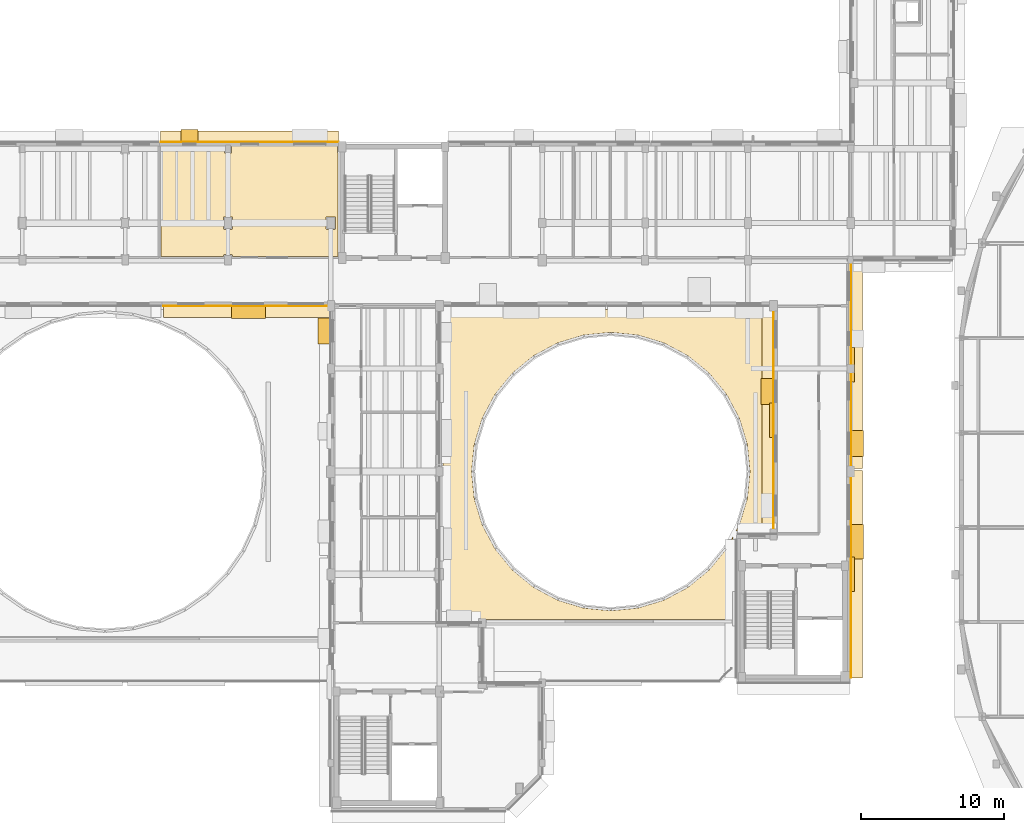
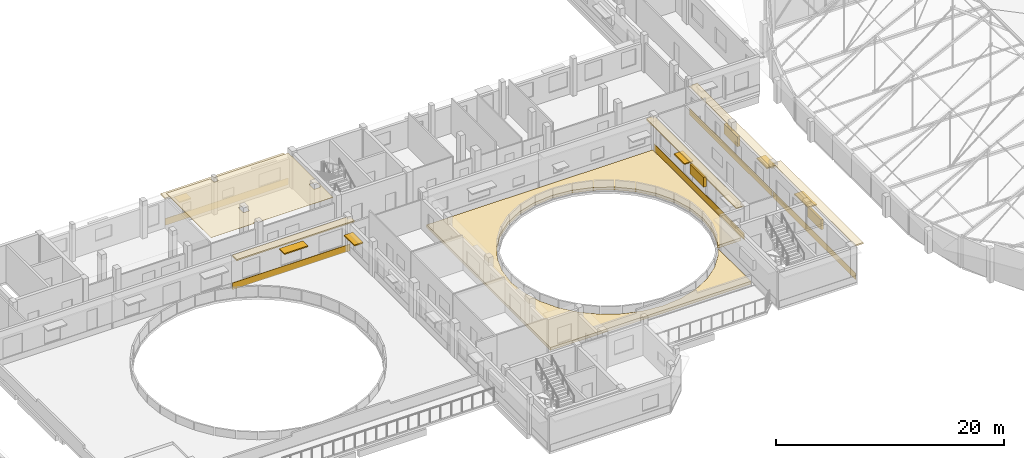
# One storey, part 74 of 78: 12 coverings, 9 shading devices.
"""IFC4 building model written with IfcOpenShell, lengths in metres."""

from ifc_helpers import new_model, si_unit, direction, frame, origin, origin_2d, place, context, subcontext, project, spatial, polyline, rectangle, outline, extrude, material, layer, layer_set, type_object, element, save


model = new_model("IFC4")

# Units and contexts
model_context = context("Model", 3, precision=1e-05, world=origin(), true_north=direction((0.0, 1.0)))
body_context = subcontext(model_context, "Body", "Model", "MODEL_VIEW")
ifc_project = project(units=[si_unit("LENGTHUNIT", "METRE"), si_unit("AREAUNIT", "SQUARE_METRE"), si_unit("VOLUMEUNIT", "CUBIC_METRE"), si_unit("PLANEANGLEUNIT", "RADIAN"), si_unit("MASSUNIT", "GRAM", prefix="KILO")], contexts=[model_context])

# Site, building, storey
site_placement = place(None, origin())
site = spatial("IfcSite", under=ifc_project, at=site_placement, CompositionType="ELEMENT")
building_placement = place(site_placement, origin())
building = spatial("IfcBuilding", under=site, at=building_placement, Name="Kelanivale Promenade Academy", CompositionType="ELEMENT")
storey_placement = place(building_placement, frame((0.0, 0.0, 16.199951171875)))
storey = spatial("IfcBuildingStorey", under=building, at=storey_placement, Name="L04", CompositionType="ELEMENT", Elevation=16.199951171875)

# Coverings
ifc_material_1 = material(Name="Warm ivory Art Deco stucco frieze band 40 mm", Category="masonry")
ifc_layer_1 = layer(ifc_material_1, 0.0400390625)
ifc_layer_set_1 = layer_set([ifc_layer_1], Name="Warm ivory Art Deco stucco frieze band 40 mm")
covering_type_1 = type_object("IfcCoveringType", Name="COV-CLD2 Warm ivory Art Deco stucco frieze ba", PredefinedType="CLADDING", material=ifc_layer_set_1)
covering_1_placement = place(storey_placement, frame((109.800048828125, 60.39990234375, 3.6201171875), z_axis=(0.0, 0.0, 1.0), x_axis=(0.0, -1.0, 0.0)))
element("IfcCovering", 1, at=covering_1_placement, inside=storey, type_object=covering_type_1, Name="Art Deco projecting 820 mm streamline sunshade eyebrow ledge", PredefinedType="CLADDING", context=body_context, shape_type="SweptSolid", body=[
    extrude(rectangle(XDim=15.840087890625, YDim=0.820068359375, at=origin_2d()), origin(), (0.0, 0.0, 1.0), 0.139892578125),
])
covering_2_placement = place(storey_placement, frame((110.18505859375, 60.39990234375, 0.06005859375), z_axis=(0.0, 0.0, 1.0), x_axis=(0.0, -1.0, 0.0)))
element("IfcCovering", 2, at=covering_2_placement, inside=storey, type_object=covering_type_1, Name="Art Deco ivory stucco sill frieze band", PredefinedType="CLADDING", context=body_context, shape_type="SweptSolid", body=[
    extrude(rectangle(XDim=15.840087890625, YDim=0.0400390625, at=origin_2d()), origin(), (0.0, 0.0, 1.0), 0.719970703125),
])
covering_3_placement = place(storey_placement, frame((116.0, 49.610107421875, 3.6201171875), z_axis=(0.0, 0.0, 1.0), x_axis=(0.0, 1.0, 0.0)))
element("IfcCovering", 3, at=covering_3_placement, inside=storey, type_object=covering_type_1, Name="Art Deco projecting 820 mm streamline sunshade eyebrow ledge", PredefinedType="CLADDING", context=body_context, shape_type="SweptSolid", body=[
    extrude(rectangle(XDim=14.5, YDim=0.820068359375, at=origin_2d()), origin(), (0.0, 0.0, 1.0), 0.139892578125),
])
covering_4_placement = place(storey_placement, frame((115.614990234375, 49.610107421875, 0.06005859375), z_axis=(0.0, 0.0, 1.0), x_axis=(0.0, 1.0, 0.0)))
element("IfcCovering", 4, at=covering_4_placement, inside=storey, type_object=covering_type_1, Name="Art Deco ivory stucco sill frieze band", PredefinedType="CLADDING", context=body_context, shape_type="SweptSolid", body=[
    extrude(rectangle(XDim=14.5, YDim=0.0400390625, at=origin_2d()), origin(), (0.0, 0.0, 1.0), 0.719970703125),
])
covering_5_placement = place(storey_placement, frame((116.0, 64.27001953125, 3.01513671875), z_axis=(0.0, 0.0, 1.0), x_axis=(0.0, 1.0, 0.0)))
element("IfcCovering", 5, at=covering_5_placement, inside=storey, type_object=covering_type_1, Name="Art Deco projecting 820 mm streamline sunshade eyebrow ledge", PredefinedType="CLADDING", context=body_context, shape_type="SweptSolid", body=[
    extrude(rectangle(XDim=14.5, YDim=0.820068359375, at=origin_2d()), origin(), (0.0, 0.0, 1.0), 0.139892578125),
])
covering_6_placement = place(storey_placement, frame((115.614990234375, 64.27001953125, 0.06005859375), z_axis=(0.0, 0.0, 1.0), x_axis=(0.0, 1.0, 0.0)))
element("IfcCovering", 6, at=covering_6_placement, inside=storey, type_object=covering_type_1, Name="Art Deco ivory stucco sill frieze band", PredefinedType="CLADDING", context=body_context, shape_type="SweptSolid", body=[
    extrude(rectangle(XDim=14.5, YDim=0.0400390625, at=origin_2d()), origin(), (0.0, 0.0, 1.0), 0.719970703125),
])
covering_7_placement = place(storey_placement, frame((73.51708984375, 80.25, 2.85009765625), z_axis=(0.0, 0.0, 1.0), x_axis=(-1.0, 0.0, 0.0)))
element("IfcCovering", 7, at=covering_7_placement, inside=storey, type_object=covering_type_1, Name="Art Deco projecting 820 mm streamline sunshade eyebrow ledge", PredefinedType="CLADDING", context=body_context, shape_type="SweptSolid", body=[
    extrude(rectangle(XDim=12.47509765625, YDim=0.820068359375, at=origin_2d()), origin(), (0.0, 0.0, 1.0), 0.139892578125),
])
covering_8_placement = place(storey_placement, frame((73.51708984375, 79.864990234375, 0.06005859375), z_axis=(0.0, 0.0, 1.0), x_axis=(-1.0, 0.0, 0.0)))
element("IfcCovering", 8, at=covering_8_placement, inside=storey, type_object=covering_type_1, Name="Art Deco ivory stucco sill frieze band", PredefinedType="CLADDING", context=body_context, shape_type="SweptSolid", body=[
    extrude(rectangle(XDim=12.47509765625, YDim=0.0400390625, at=origin_2d()), origin(), (0.0, 0.0, 1.0), 0.719970703125),
])
covering_9_placement = place(storey_placement, frame((73.43408203125, 68.0, 3.6201171875), z_axis=(0.0, 0.0, 1.0), x_axis=(1.0, 0.0, 0.0)))
element("IfcCovering", 9, at=covering_9_placement, inside=storey, type_object=covering_type_1, Name="Art Deco projecting 820 mm streamline sunshade eyebrow ledge", PredefinedType="CLADDING", context=body_context, shape_type="SweptSolid", body=[
    extrude(rectangle(XDim=11.93310546875, YDim=0.820068359375, at=origin_2d()), origin(), (0.0, 0.0, 1.0), 0.139892578125),
])
covering_10_placement = place(storey_placement, frame((73.43408203125, 68.385009765625, 0.06005859375), z_axis=(0.0, 0.0, 1.0), x_axis=(1.0, 0.0, 0.0)))
element("IfcCovering", 10, at=covering_10_placement, inside=storey, type_object=covering_type_1, Name="Art Deco ivory stucco sill frieze band", PredefinedType="CLADDING", context=body_context, shape_type="SweptSolid", body=[
    extrude(rectangle(XDim=11.93310546875, YDim=0.0400390625, at=origin_2d()), origin(), (0.0, 0.0, 1.0), 0.719970703125),
])
ifc_material_2 = material(Name="Acoustic mineral-fibre ceiling tile 25 mm", Category="gypsum")
ifc_layer_2 = layer(ifc_material_2, 0.02490234375)
ifc_layer_set_2 = layer_set([ifc_layer_2], Name="Acoustic mineral-fibre ceiling tile 25 mm")
covering_type_2 = type_object("IfcCoveringType", Name="COV-CLG1 Acoustic mineral-fibre ceiling tile ", PredefinedType="CEILING", material=ifc_layer_set_2)
covering_11_placement = place(storey_placement, frame((0.0, 0.0, 3.550048828125)))
element("IfcCovering", 11, at=covering_11_placement, inside=storey, type_object=covering_type_2, Name="ICT Computing Studio acoustic suspended ceiling", PredefinedType="CEILING", context=body_context, shape_type="SweptSolid", body=[
    extrude(outline(polyline([(79.68994140625, 79.117919921875), (79.68994140625, 79.117919921875), (79.68603515625, 79.1201171875), (79.68310546875, 79.1220703125), (79.679931640625, 79.1240234375), (79.677001953125, 79.126953125), (79.674072265625, 79.1298828125), (79.672119140625, 79.133056640625), (79.669921875, 79.135986328125), (79.66796875, 79.139892578125), (79.6669921875, 79.14306640625), (79.666015625, 79.14697265625), (79.6650390625, 79.15087890625), (79.6650390625, 79.155029296875), (79.6650390625, 79.699951171875), (72.220947265625, 79.699951171875), (72.222900390625, 79.697998046875), (72.22607421875, 79.695068359375), (72.22802734375, 79.69189453125), (72.22998046875, 79.68896484375), (72.23193359375, 79.68505859375), (72.23291015625, 79.681884765625), (72.23388671875, 79.677978515625), (72.235107421875, 79.674072265625), (72.235107421875, 79.669921875), (72.235107421875, 79.1298828125), (72.235107421875, 79.1259765625), (72.23388671875, 79.1220703125), (72.23291015625, 79.117919921875), (72.23193359375, 79.114990234375), (72.22998046875, 79.111083984375), (72.22802734375, 79.10791015625), (72.22607421875, 79.10498046875), (72.222900390625, 79.10205078125), (72.219970703125, 79.09912109375), (72.217041015625, 79.096923828125), (72.214111328125, 79.094970703125), (72.2099609375, 79.093017578125), (72.20703125, 79.092041015625), (72.202880859375, 79.091064453125), (72.198974609375, 79.090087890625), (72.195068359375, 79.090087890625), (71.804931640625, 79.090087890625), (71.801025390625, 79.090087890625), (71.797119140625, 79.091064453125), (71.79296875, 79.092041015625), (71.7900390625, 79.093017578125), (71.785888671875, 79.094970703125), (71.782958984375, 79.096923828125), (71.780029296875, 79.09912109375), (71.777099609375, 79.10205078125), (71.77392578125, 79.10498046875), (71.77197265625, 79.10791015625), (71.77001953125, 79.111083984375), (71.76806640625, 79.114990234375), (71.76708984375, 79.117919921875), (71.76611328125, 79.1220703125), (71.764892578125, 79.1259765625), (71.764892578125, 79.1298828125), (71.764892578125, 79.669921875), (71.764892578125, 79.674072265625), (71.76611328125, 79.677978515625), (71.76708984375, 79.681884765625), (71.76806640625, 79.68505859375), (71.77001953125, 79.68896484375), (71.77197265625, 79.69189453125), (71.77392578125, 79.695068359375), (71.777099609375, 79.697998046875), (71.779052734375, 79.699951171875), (67.31005859375, 79.699951171875), (67.31005859375, 71.860107421875), (71.68994140625, 71.860107421875), (71.68994140625, 71.945068359375), (71.68994140625, 71.948974609375), (71.69091796875, 71.952880859375), (71.69189453125, 71.95703125), (71.693115234375, 71.9599609375), (71.695068359375, 71.964111328125), (71.697021484375, 71.967041015625), (71.698974609375, 71.969970703125), (71.701904296875, 71.972900390625), (71.705078125, 71.97607421875), (71.7080078125, 71.97802734375), (71.7109375, 71.97998046875), (71.715087890625, 71.98193359375), (71.718017578125, 71.98291015625), (71.721923828125, 71.98388671875), (71.72607421875, 71.985107421875), (71.72998046875, 71.985107421875), (72.27001953125, 71.985107421875), (72.27392578125, 71.985107421875), (72.278076171875, 71.98388671875), (72.281982421875, 71.98291015625), (72.284912109375, 71.98193359375), (72.2890625, 71.97998046875), (72.2919921875, 71.97802734375), (72.294921875, 71.97607421875), (72.298095703125, 71.972900390625), (72.301025390625, 71.969970703125), (72.302978515625, 71.967041015625), (72.304931640625, 71.964111328125), (72.306884765625, 71.9599609375), (72.30810546875, 71.95703125), (72.30908203125, 71.952880859375), (72.31005859375, 71.948974609375), (72.31005859375, 71.945068359375), (72.31005859375, 71.860107421875), (79.68994140625, 71.860107421875), (79.68994140625, 72.14501953125), (79.68994140625, 79.117919921875)]), holes=[polyline([(79.534912109375, 73.804931640625), (79.534912109375, 73.801025390625), (79.533935546875, 73.797119140625), (79.532958984375, 73.79296875), (79.531982421875, 73.7900390625), (79.530029296875, 73.785888671875), (79.528076171875, 73.782958984375), (79.52587890625, 73.780029296875), (79.52294921875, 73.777099609375), (79.52001953125, 73.77392578125), (79.51708984375, 73.77197265625), (79.513916015625, 73.77001953125), (79.510009765625, 73.76806640625), (79.507080078125, 73.76708984375), (79.5029296875, 73.76611328125), (79.4990234375, 73.764892578125), (79.4951171875, 73.764892578125), (78.905029296875, 73.764892578125), (78.90087890625, 73.764892578125), (78.89697265625, 73.76611328125), (78.89306640625, 73.76708984375), (78.889892578125, 73.76806640625), (78.885986328125, 73.77001953125), (78.883056640625, 73.77197265625), (78.8798828125, 73.77392578125), (78.876953125, 73.777099609375), (78.8740234375, 73.780029296875), (78.8720703125, 73.782958984375), (78.8701171875, 73.785888671875), (78.867919921875, 73.7900390625), (78.866943359375, 73.79296875), (78.865966796875, 73.797119140625), (78.864990234375, 73.801025390625), (78.864990234375, 73.804931640625), (78.864990234375, 74.594970703125), (78.864990234375, 74.59912109375), (78.865966796875, 74.60302734375), (78.866943359375, 74.60693359375), (78.867919921875, 74.610107421875), (78.8701171875, 74.614013671875), (78.8720703125, 74.616943359375), (78.8740234375, 74.6201171875), (78.876953125, 74.623046875), (78.8798828125, 74.6259765625), (78.883056640625, 74.6279296875), (78.885986328125, 74.6298828125), (78.889892578125, 74.632080078125), (78.89306640625, 74.633056640625), (78.89697265625, 74.634033203125), (78.90087890625, 74.635009765625), (78.905029296875, 74.635009765625), (79.4951171875, 74.635009765625), (79.4990234375, 74.635009765625), (79.5029296875, 74.634033203125), (79.507080078125, 74.633056640625), (79.510009765625, 74.632080078125), (79.513916015625, 74.6298828125), (79.51708984375, 74.6279296875), (79.52001953125, 74.6259765625), (79.52294921875, 74.623046875), (79.52587890625, 74.6201171875), (79.528076171875, 74.616943359375), (79.530029296875, 74.614013671875), (79.531982421875, 74.610107421875), (79.532958984375, 74.60693359375), (79.533935546875, 74.60302734375), (79.534912109375, 74.59912109375), (79.534912109375, 74.594970703125), (79.534912109375, 73.804931640625)]), polyline([(72.27001953125, 74.635009765625), (72.27392578125, 74.635009765625), (72.278076171875, 74.634033203125), (72.281982421875, 74.633056640625), (72.284912109375, 74.632080078125), (72.2890625, 74.6298828125), (72.2919921875, 74.6279296875), (72.294921875, 74.6259765625), (72.298095703125, 74.623046875), (72.301025390625, 74.6201171875), (72.302978515625, 74.616943359375), (72.304931640625, 74.614013671875), (72.306884765625, 74.610107421875), (72.30810546875, 74.60693359375), (72.30908203125, 74.60302734375), (72.31005859375, 74.59912109375), (72.31005859375, 74.594970703125), (72.31005859375, 73.804931640625), (72.31005859375, 73.801025390625), (72.30908203125, 73.797119140625), (72.30810546875, 73.79296875), (72.306884765625, 73.7900390625), (72.304931640625, 73.785888671875), (72.302978515625, 73.782958984375), (72.301025390625, 73.780029296875), (72.298095703125, 73.777099609375), (72.294921875, 73.77392578125), (72.2919921875, 73.77197265625), (72.2890625, 73.77001953125), (72.284912109375, 73.76806640625), (72.281982421875, 73.76708984375), (72.278076171875, 73.76611328125), (72.27392578125, 73.764892578125), (72.27001953125, 73.764892578125), (71.72998046875, 73.764892578125), (71.72607421875, 73.764892578125), (71.721923828125, 73.76611328125), (71.718017578125, 73.76708984375), (71.715087890625, 73.76806640625), (71.7109375, 73.77001953125), (71.7080078125, 73.77197265625), (71.705078125, 73.77392578125), (71.701904296875, 73.777099609375), (71.698974609375, 73.780029296875), (71.697021484375, 73.782958984375), (71.695068359375, 73.785888671875), (71.693115234375, 73.7900390625), (71.69189453125, 73.79296875), (71.69091796875, 73.797119140625), (71.68994140625, 73.801025390625), (71.68994140625, 73.804931640625), (71.68994140625, 74.594970703125), (71.68994140625, 74.59912109375), (71.69091796875, 74.60302734375), (71.69189453125, 74.60693359375), (71.693115234375, 74.610107421875), (71.695068359375, 74.614013671875), (71.697021484375, 74.616943359375), (71.698974609375, 74.6201171875), (71.701904296875, 74.623046875), (71.705078125, 74.6259765625), (71.7080078125, 74.6279296875), (71.7109375, 74.6298828125), (71.715087890625, 74.632080078125), (71.718017578125, 74.633056640625), (71.721923828125, 74.634033203125), (71.72607421875, 74.635009765625), (71.72998046875, 74.635009765625), (72.27001953125, 74.635009765625)])]), origin(), (0.0, 0.0, 1.0), 0.02490234375),
])
ifc_material_3 = material(Name="Extensive tropical planted green-roof substrate 300 mm", Category="masonry")
ifc_layer_3 = layer(ifc_material_3, 0.300048828125)
ifc_layer_set_3 = layer_set([ifc_layer_3], Name="Extensive tropical planted green-roof substrate 300 mm")
covering_type_3 = type_object("IfcCoveringType", Name="COV-RFG2 Extensive tropical planted green-roo", PredefinedType="ROOFING", material=ifc_layer_set_3)
covering_12_placement = place(storey_placement, origin())
element("IfcCovering", 12, at=covering_12_placement, inside=storey, type_object=covering_type_3, Name="L04 planted green-roof substrate", PredefinedType="ROOFING", context=body_context, shape_type="SweptSolid", body=[
    extrude(outline(polyline([(107.575927734375, 52.638916015625), (107.60009765625, 52.639892578125), (109.9599609375, 52.639892578125), (109.9599609375, 68.159912109375), (87.0400390625, 68.159912109375), (87.0400390625, 46.43994140625), (107.360107421875, 46.43994140625), (107.360107421875, 52.25), (106.910888671875, 51.408935546875), (106.89892578125, 51.388916015625), (106.885009765625, 51.3701171875), (105.7041015625, 49.929931640625), (105.68798828125, 49.912109375), (105.669921875, 49.89599609375), (104.22998046875, 48.715087890625), (104.2109375, 48.700927734375), (104.19091796875, 48.68896484375), (102.548095703125, 47.81103515625), (102.527099609375, 47.801025390625), (102.5048828125, 47.79296875), (100.722900390625, 47.2529296875), (100.699951171875, 47.248046875), (100.677001953125, 47.243896484375), (98.823974609375, 47.06103515625), (98.800048828125, 47.06005859375), (98.77587890625, 47.06103515625), (96.923095703125, 47.243896484375), (96.89990234375, 47.248046875), (96.876953125, 47.2529296875), (95.094970703125, 47.79296875), (95.072998046875, 47.801025390625), (95.052001953125, 47.81103515625), (93.408935546875, 48.68896484375), (93.388916015625, 48.700927734375), (93.3701171875, 48.715087890625), (91.929931640625, 49.89599609375), (91.912109375, 49.912109375), (91.89599609375, 49.929931640625), (90.715087890625, 51.3701171875), (90.700927734375, 51.388916015625), (90.68896484375, 51.408935546875), (89.81103515625, 53.052001953125), (89.801025390625, 53.072998046875), (89.79296875, 53.094970703125), (89.2529296875, 54.876953125), (89.248046875, 54.89990234375), (89.243896484375, 54.923095703125), (89.06103515625, 56.77587890625), (89.06005859375, 56.800048828125), (89.06103515625, 56.823974609375), (89.243896484375, 58.677001953125), (89.248046875, 58.699951171875), (89.2529296875, 58.722900390625), (89.79296875, 60.5048828125), (89.801025390625, 60.527099609375), (89.81103515625, 60.548095703125), (90.68896484375, 62.19091796875), (90.700927734375, 62.2109375), (90.715087890625, 62.22998046875), (91.89599609375, 63.669921875), (91.912109375, 63.68798828125), (91.929931640625, 63.7041015625), (93.3701171875, 64.885009765625), (93.388916015625, 64.89892578125), (93.408935546875, 64.910888671875), (95.052001953125, 65.7890625), (95.072998046875, 65.799072265625), (95.094970703125, 65.806884765625), (96.876953125, 66.346923828125), (96.89990234375, 66.35205078125), (96.923095703125, 66.35595703125), (98.77587890625, 66.5390625), (98.800048828125, 66.5400390625), (98.823974609375, 66.5390625), (100.677001953125, 66.35595703125), (100.699951171875, 66.35205078125), (100.722900390625, 66.346923828125), (102.5048828125, 65.806884765625), (102.527099609375, 65.799072265625), (102.548095703125, 65.7890625), (104.19091796875, 64.910888671875), (104.2109375, 64.89892578125), (104.22998046875, 64.885009765625), (105.669921875, 63.7041015625), (105.68798828125, 63.68798828125), (105.7041015625, 63.669921875), (106.885009765625, 62.22998046875), (106.89892578125, 62.2109375), (106.910888671875, 62.19091796875), (107.7890625, 60.548095703125), (107.799072265625, 60.527099609375), (107.806884765625, 60.5048828125), (108.346923828125, 58.722900390625), (108.35205078125, 58.699951171875), (108.35595703125, 58.677001953125), (108.5390625, 56.823974609375), (108.5400390625, 56.800048828125), (108.5390625, 56.77587890625), (108.35595703125, 54.923095703125), (108.35205078125, 54.89990234375), (108.346923828125, 54.876953125), (107.806884765625, 53.094970703125), (107.799072265625, 53.072998046875), (107.7890625, 53.052001953125), (107.56689453125, 52.636962890625), (107.575927734375, 52.638916015625)])), origin(), (0.0, 0.0, 1.0), 0.300048828125),
])

# Shading devices
ifc_material_4 = material(Name="Precast concrete C40/50", Category="concrete")
ifc_layer_4 = layer(ifc_material_4, 0.1201171875)
ifc_layer_set_4 = layer_set([ifc_layer_4], Name="Precast concrete C40/50")
shading_device_type_1 = type_object("IfcShadingDeviceType", Name="SHD-01 Art Deco Sunshade Eyebrow 900mm", PredefinedType="USERDEFINED", material=ifc_layer_set_4)
shading_device_1_placement = place(storey_placement, frame((109.760009765625, 62.39990234375, 2.9599609375), z_axis=(0.0, 0.0, 1.0), x_axis=(0.0, -1.0, 0.0)))
element("IfcShadingDevice", 13, at=shading_device_1_placement, inside=storey, type_object=shading_device_type_1, Name="Art Deco 900 mm precast chajja window sunshade", ObjectType="SUNSHADE", PredefinedType="USERDEFINED", context=body_context, shape_type="SweptSolid", body=[
    extrude(rectangle(XDim=1.800048828125, YDim=0.89990234375, at=origin_2d()), origin(), (0.0, 0.0, 1.0), 0.1201171875),
])
shading_device_2_placement = place(storey_placement, frame((116.0400390625, 51.89208984375, 2.659912109375), z_axis=(0.0, 0.0, 1.0), x_axis=(0.0, 1.0, 0.0)))
element("IfcShadingDevice", 14, at=shading_device_2_placement, inside=storey, type_object=shading_device_type_1, Name="Art Deco 900 mm precast chajja window sunshade", ObjectType="SUNSHADE", PredefinedType="USERDEFINED", context=body_context, shape_type="SweptSolid", body=[
    extrude(rectangle(XDim=2.39990234375, YDim=0.89990234375, at=origin_2d()), origin(), (0.0, 0.0, 1.0), 0.1201171875),
])
shading_device_3_placement = place(storey_placement, frame((116.0400390625, 58.77197265625, 2.510009765625), z_axis=(0.0, 0.0, 1.0), x_axis=(0.0, 1.0, 0.0)))
element("IfcShadingDevice", 15, at=shading_device_3_placement, inside=storey, type_object=shading_device_type_1, Name="Art Deco 900 mm precast chajja window sunshade", ObjectType="SUNSHADE", PredefinedType="USERDEFINED", context=body_context, shape_type="SweptSolid", body=[
    extrude(rectangle(XDim=1.800048828125, YDim=0.89990234375, at=origin_2d()), origin(), (0.0, 0.0, 1.0), 0.1201171875),
])
shading_device_4_placement = place(storey_placement, frame((69.305908203125, 80.2900390625, 1.9599609375), z_axis=(0.0, 0.0, 1.0), x_axis=(-1.0, 0.0, 0.0)))
element("IfcShadingDevice", 16, at=shading_device_4_placement, inside=storey, type_object=shading_device_type_1, Name="Art Deco 900 mm precast chajja window sunshade", ObjectType="SUNSHADE", PredefinedType="USERDEFINED", context=body_context, shape_type="SweptSolid", body=[
    extrude(rectangle(XDim=1.199951171875, YDim=0.89990234375, at=origin_2d()), origin(), (0.0, 0.0, 1.0), 0.1201171875),
])
shading_device_5_placement = place(storey_placement, frame((73.43408203125, 67.9599609375, 2.659912109375), z_axis=(0.0, 0.0, 1.0), x_axis=(1.0, 0.0, 0.0)))
element("IfcShadingDevice", 17, at=shading_device_5_placement, inside=storey, type_object=shading_device_type_1, Name="Art Deco 900 mm precast chajja window sunshade", ObjectType="SUNSHADE", PredefinedType="USERDEFINED", context=body_context, shape_type="SweptSolid", body=[
    extrude(rectangle(XDim=2.39990234375, YDim=0.89990234375, at=origin_2d()), origin(), (0.0, 0.0, 1.0), 0.1201171875),
])
shading_device_6_placement = place(storey_placement, frame((78.760009765625, 66.64404296875, 2.510009765625), z_axis=(0.0, 0.0, 1.0), x_axis=(0.0, -1.0, 0.0)))
element("IfcShadingDevice", 18, at=shading_device_6_placement, inside=storey, type_object=shading_device_type_1, Name="Art Deco 900 mm precast chajja window sunshade", ObjectType="SUNSHADE", PredefinedType="USERDEFINED", context=body_context, shape_type="SweptSolid", body=[
    extrude(rectangle(XDim=1.800048828125, YDim=0.89990234375, at=origin_2d()), origin(), (0.0, 0.0, 1.0), 0.1201171875),
])
ifc_material_5 = material(Name="Bronze anodised aluminium EN AW-6063 T6", Category="aluminium")
ifc_layer_5 = layer(ifc_material_5, 0.080078125)
ifc_layer_set_5 = layer_set([ifc_layer_5], Name="Bronze anodised aluminium EN AW-6063 T6")
shading_device_type_2 = type_object("IfcShadingDeviceType", Name="SHD-02 Perforated Brise-Soleil Screen", PredefinedType="JALOUSIE", material=ifc_layer_set_5)
for number, where, z_axis, x_axis, name in (
    (19, (110.06494140625, 60.39990234375, 1.72509765625), (0.0, 0.0, 1.0), (0.0, -1.0, 0.0), "Perforated Art Deco brise-soleil louvre screen"),
    (20, (115.735107421875, 49.610107421875, 1.72509765625), (0.0, 0.0, 1.0), (0.0, 1.0, 0.0), "Perforated Art Deco brise-soleil louvre screen"),
    (21, (115.735107421875, 64.27001953125, 1.72509765625), (0.0, 0.0, 1.0), (0.0, 1.0, 0.0), "Perforated Art Deco brise-soleil louvre screen"),
):
    element("IfcShadingDevice", number, at=place(storey_placement, frame(where, z_axis=z_axis, x_axis=x_axis)), inside=storey, type_object=shading_device_type_2, Name=name, PredefinedType="JALOUSIE", context=body_context, shape_type="SweptSolid", body=[
        extrude(rectangle(XDim=2.39990234375, YDim=0.280029296875, at=origin_2d()), origin(), (0.0, 0.0, 1.0), 1.050048828125),
    ])

save(model, "model.ifc")
